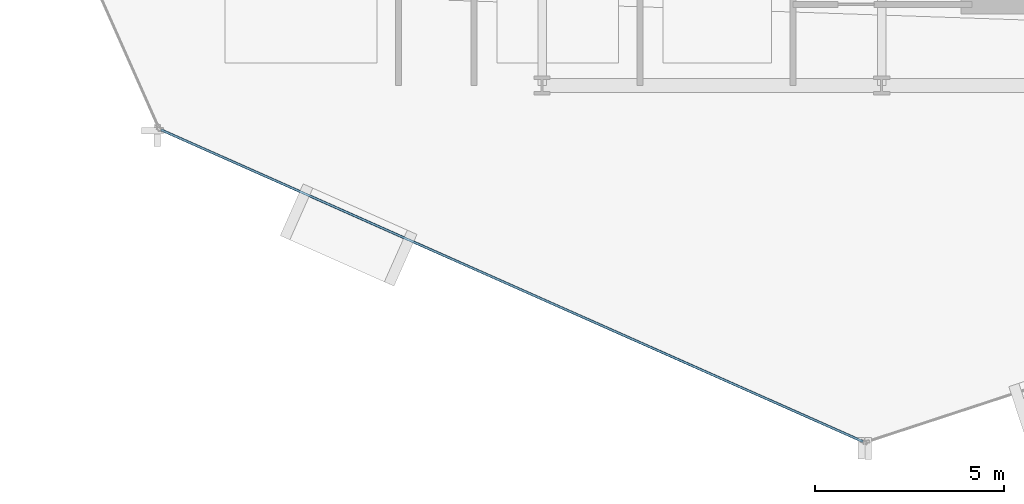
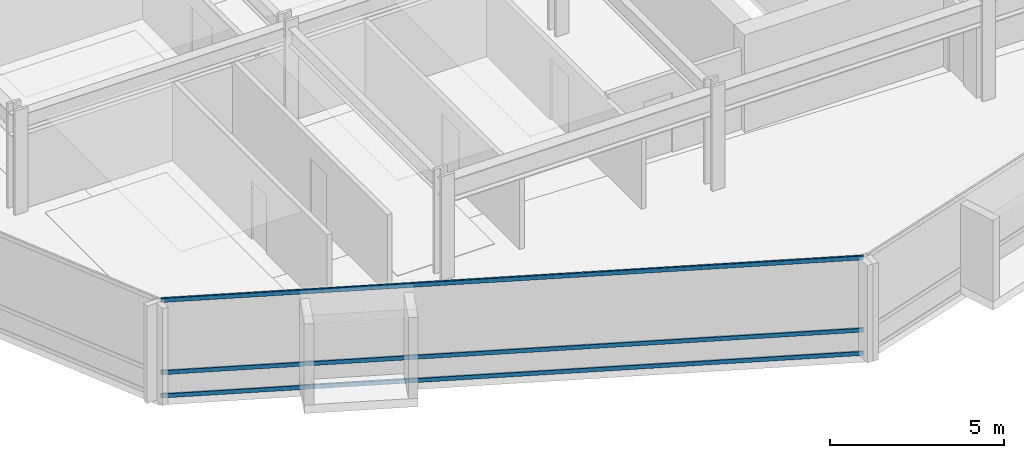
# One storey, part 3 of 34: 3 members, 1 element without a shape of its own.
"""IFC4 building model written with IfcOpenShell, lengths in metres."""

from ifc_helpers import new_model, si_unit, direction, frame, origin, origin_2d, place, context, subcontext, project, spatial, hollow_rectangle, extrude, material, layer, layer_set, material_profile, profile_set, type_object, element, aggregate, save


model = new_model("IFC4")

# Units and contexts
model_context = context("Model", 3, precision=1e-05, world=origin(), true_north=direction((0.0, 1.0)))
body_context = subcontext(model_context, "Body", "Model", "MODEL_VIEW")
ifc_project = project(units=[si_unit("LENGTHUNIT", "METRE"), si_unit("AREAUNIT", "SQUARE_METRE"), si_unit("VOLUMEUNIT", "CUBIC_METRE"), si_unit("PLANEANGLEUNIT", "RADIAN"), si_unit("MASSUNIT", "GRAM", prefix="KILO")], contexts=[model_context])

# Site, building, storey
site_placement = place(None, origin())
site = spatial("IfcSite", under=ifc_project, at=site_placement, CompositionType="ELEMENT")
building_placement = place(site_placement, origin())
building = spatial("IfcBuilding", under=site, at=building_placement, Name="Solvaryn Broadcast Tower", CompositionType="ELEMENT")
storey_placement = place(building_placement, frame((0.0, 0.0, 50.800048828125)))
storey = spatial("IfcBuildingStorey", under=building, at=storey_placement, Name="L11", CompositionType="ELEMENT", Elevation=50.800048828125)

# Curtain wall, members
ifc_material_1 = material(Name="Aluminium and Terracotta Unitised Curtain Wall", Category="masonry")
ifc_layer = layer(ifc_material_1, 0.199951171875)
ifc_layer_set = layer_set([ifc_layer], Name="CW-SYS2-LOWMID")
curtain_wall_type = type_object("IfcCurtainWallType", Name="CW-SYS2-LOWMID", PredefinedType="NOTDEFINED", material=ifc_layer_set)
curtain_wall_placement = place(storey_placement, origin())
curtain_wall = element("IfcCurtainWall", 1, at=curtain_wall_placement, inside=storey, type_object=curtain_wall_type, Name="L11 Curtain Wall DR3", PredefinedType="NOTDEFINED")
ifc_material_2 = material(Name="Anodised Aluminium 6063-T6", Category="aluminium")
ifc_material_profile = material_profile(ifc_material_2, hollow_rectangle(XDim=0.06494140625, YDim=0.14990234375, WallThickness=0.00390625, InnerFilletRadius=0.00390625, OuterFilletRadius=0.008056640625, at=origin_2d()))
ifc_profile_set = profile_set([ifc_material_profile], Name="Anodised Aluminium 6063-T6")
member_type = type_object("IfcMemberType", Name="CW-TRN-150", PredefinedType="USERDEFINED", material=ifc_profile_set)
member_1_placement = place(storey_placement, frame((7.90185546875, 7.82275390625, 0.030029296875), z_axis=(0.913914888191, -0.405905872269, 0.0), x_axis=(0.405905872269, 0.913914888191, 0.0)))
member_1 = element("IfcMember", 2, at=member_1_placement, type_object=member_type, Name="CWS2 transom 1.1", ObjectType="TRANSOM", PredefinedType="USERDEFINED", context=body_context, shape_type="SweptSolid", body=[
    extrude(hollow_rectangle(XDim=0.06494140625, YDim=0.14990234375, WallThickness=0.00390625, InnerFilletRadius=0.00390625, OuterFilletRadius=0.008056640625, at=origin_2d()), origin(), (0.0, 0.0, 1.0), 20.35546875),
])
member_2_placement = place(storey_placement, frame((7.90185546875, 7.82275390625, 0.849853515625), z_axis=(0.913914888191, -0.405905872269, 0.0), x_axis=(0.405905872269, 0.913914888191, 0.0)))
member_2 = element("IfcMember", 3, at=member_2_placement, type_object=member_type, Name="CWS2 transom 1.2", ObjectType="TRANSOM", PredefinedType="USERDEFINED", context=body_context, shape_type="SweptSolid", body=[
    extrude(hollow_rectangle(XDim=0.06494140625, YDim=0.14990234375, WallThickness=0.00390625, InnerFilletRadius=0.00390625, OuterFilletRadius=0.008056640625, at=origin_2d()), origin(), (0.0, 0.0, 1.0), 20.35546875),
])
member_3_placement = place(storey_placement, frame((7.90185546875, 7.82275390625, 3.389892578125), z_axis=(0.913914888191, -0.405905872269, 0.0), x_axis=(0.405905872269, 0.913914888191, 0.0)))
member_3 = element("IfcMember", 4, at=member_3_placement, type_object=member_type, Name="CWS2 transom 1.3", ObjectType="TRANSOM", PredefinedType="USERDEFINED", context=body_context, shape_type="SweptSolid", body=[
    extrude(hollow_rectangle(XDim=0.06494140625, YDim=0.14990234375, WallThickness=0.00390625, InnerFilletRadius=0.00390625, OuterFilletRadius=0.008056640625, at=origin_2d()), origin(), (0.0, 0.0, 1.0), 20.35546875),
])
aggregate(curtain_wall, [member_1, member_2, member_3])

save(model, "model.ifc")
